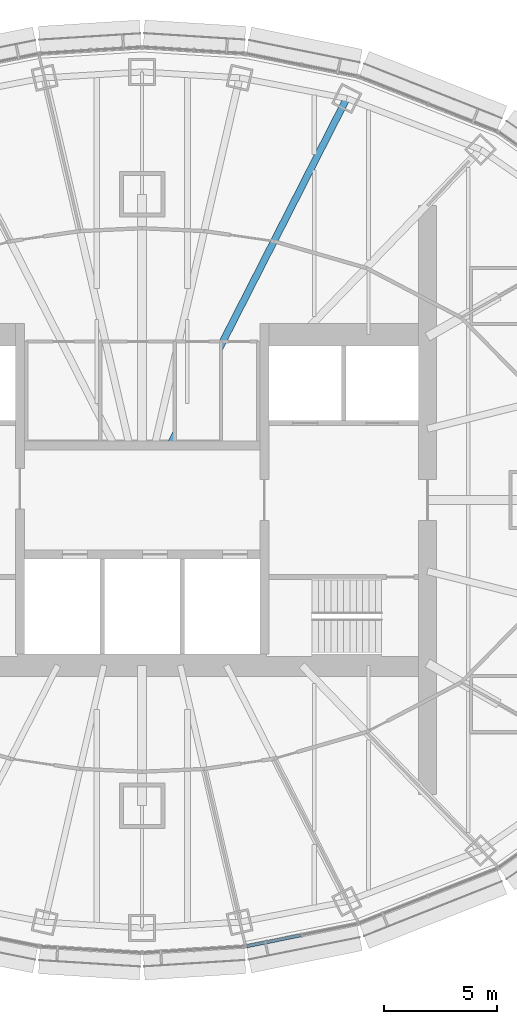
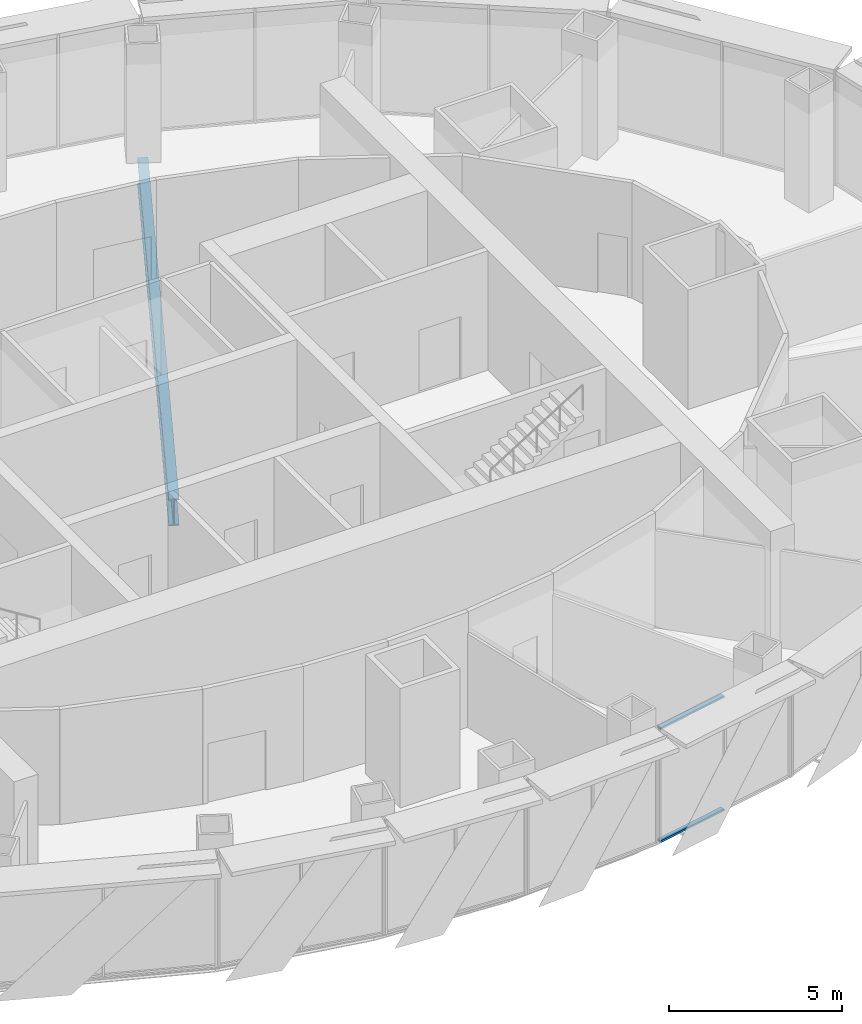
# One storey, part 5 of 16: 2 members, 1 beam, 1 element without a shape of its own.
"""IFC4 building model written with IfcOpenShell, lengths in metres."""

from ifc_helpers import new_model, si_unit, direction, frame, origin, origin_2d, place, context, subcontext, project, spatial, rectangle, i_section, extrude, material, material_profile, profile_set, type_object, element, aggregate, save


model = new_model("IFC4")

# Units and contexts
model_context = context("Model", 3, precision=1e-05, world=origin(), true_north=direction((0.0, 1.0)))
body_context = subcontext(model_context, "Body", "Model", "MODEL_VIEW")
ifc_project = project(units=[si_unit("LENGTHUNIT", "METRE"), si_unit("AREAUNIT", "SQUARE_METRE"), si_unit("VOLUMEUNIT", "CUBIC_METRE"), si_unit("PLANEANGLEUNIT", "RADIAN"), si_unit("MASSUNIT", "GRAM", prefix="KILO")], contexts=[model_context])

# Site, building, storey
site_placement = place(None, origin())
site = spatial("IfcSite", under=ifc_project, at=site_placement, CompositionType="ELEMENT")
building_placement = place(site_placement, origin())
building = spatial("IfcBuilding", under=site, at=building_placement, Name="Lantaw Convention Tower", CompositionType="ELEMENT")
storey_placement = place(building_placement, frame((0.0, 0.0, 232.60009765625)))
storey = spatial("IfcBuildingStorey", under=building, at=storey_placement, Name="L54", CompositionType="ELEMENT", Elevation=232.60009765625)

# Beam
ifc_material_1 = material(Name="Steel ASTM A992", Category="steel")
ifc_material_profile_1 = material_profile(ifc_material_1, i_section(OverallWidth=0.307373046875, OverallDepth=0.9423828125, WebThickness=0.022216796875, FlangeThickness=0.039794921875, FilletRadius=0.0126953125, at=origin_2d()), Name="W36X232")
ifc_profile_set_1 = profile_set([ifc_material_profile_1], Name="Steel ASTM A992")
beam_type = type_object("IfcBeamType", Name="Beam G W36X232", PredefinedType="BEAM", material=ifc_profile_set_1)
beam_placement = place(storey_placement, frame((1.222900390625, 2.39990234375, -0.621337890625), z_axis=(0.453988481463, 0.891007552549, 0.0), x_axis=(-0.891007552549, 0.453988481463, 0.0)))
element("IfcBeam", 1, at=beam_placement, inside=storey, type_object=beam_type, Name="Floor girder on ray 5", PredefinedType="BEAM", context=body_context, shape_type="SweptSolid", body=[
    extrude(i_section(OverallWidth=0.307373046875, OverallDepth=0.9423828125, WebThickness=0.022216796875, FlangeThickness=0.039794921875, FilletRadius=0.0126953125, at=origin_2d()), origin(), (0.0, 0.0, 1.0), 17.20703125),
])

# Curtain wall, members
ifc_material_2 = material(Name="Aluminium framed curtain wall", Category="aluminium")
curtain_wall_type = type_object("IfcCurtainWallType", Name="Office curtain wall high rise, pale aluminium", PredefinedType="USERDEFINED", material=ifc_material_2)
curtain_wall_placement = place(storey_placement, origin())
curtain_wall = element("IfcCurtainWall", 2, at=curtain_wall_placement, inside=storey, type_object=curtain_wall_type, Name="Office curtain wall high rise, pale aluminium L54", ObjectType="UNITISED CURTAIN WALL", PredefinedType="USERDEFINED")
ifc_material_3 = material(Name="Aluminium 6063-T6", Category="aluminium")
ifc_material_profile_2 = material_profile(ifc_material_3, rectangle(XDim=0.14990234375, YDim=0.06494140625, at=origin_2d()), Name="CW-O2 transom 65x150")
ifc_profile_set_2 = profile_set([ifc_material_profile_2], Name="Aluminium 6063-T6")
member_type = type_object("IfcMemberType", Name="CW-O2 transom 65x150", PredefinedType="USERDEFINED", material=ifc_profile_set_2)
member_1_placement = place(storey_placement, frame((4.614990234375, -19.700927734375, 0.032470703125), z_axis=(0.980380354178, 0.197115096178, 0.0), x_axis=(-0.197115096178, 0.980380354178, 0.0)))
member_1 = element("IfcMember", 3, at=member_1_placement, type_object=member_type, Name="CW-O2 transom 1.1", ObjectType="TRANSOM", PredefinedType="USERDEFINED", context=body_context, shape_type="SweptSolid", body=[
    extrude(rectangle(XDim=0.14990234375, YDim=0.06494140625, at=origin_2d()), origin(), (0.0, 0.0, 1.0), 2.443603515625),
])
member_2_placement = place(storey_placement, frame((4.614990234375, -19.700927734375, 4.017333984375), z_axis=(0.980380354178, 0.197115096178, 0.0), x_axis=(-0.197115096178, 0.980380354178, 0.0)))
member_2 = element("IfcMember", 4, at=member_2_placement, type_object=member_type, Name="CW-O2 transom 1.2", ObjectType="TRANSOM", PredefinedType="USERDEFINED", context=body_context, shape_type="SweptSolid", body=[
    extrude(rectangle(XDim=0.14990234375, YDim=0.06494140625, at=origin_2d()), origin(), (0.0, 0.0, 1.0), 2.443603515625),
])
aggregate(curtain_wall, [member_1, member_2])

save(model, "model.ifc")
